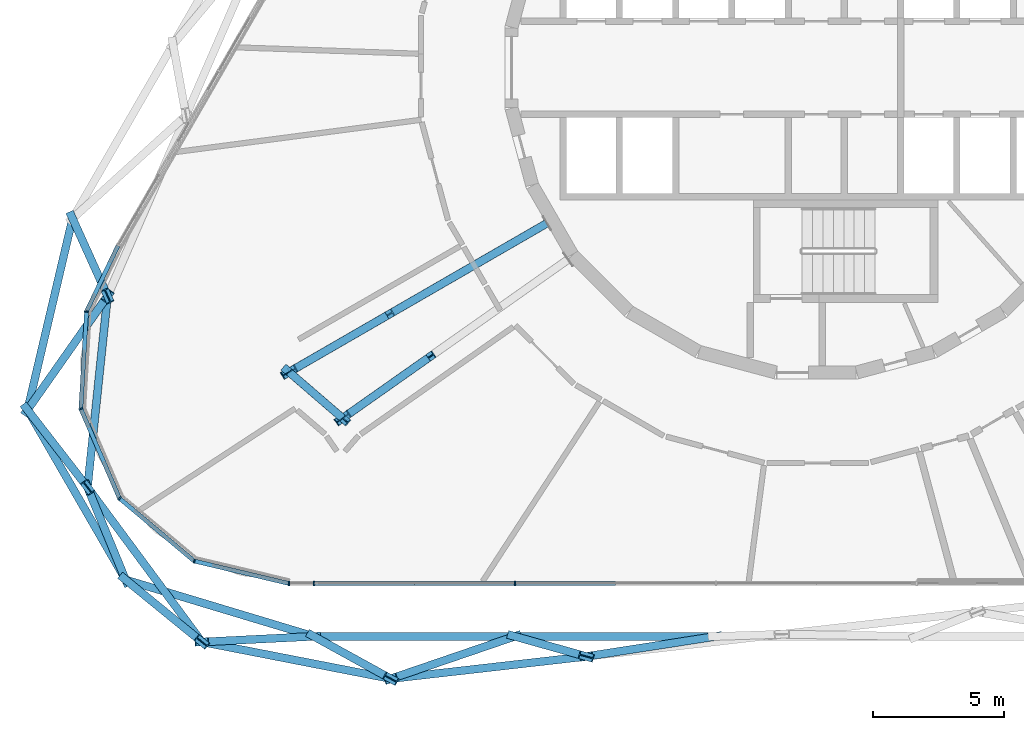
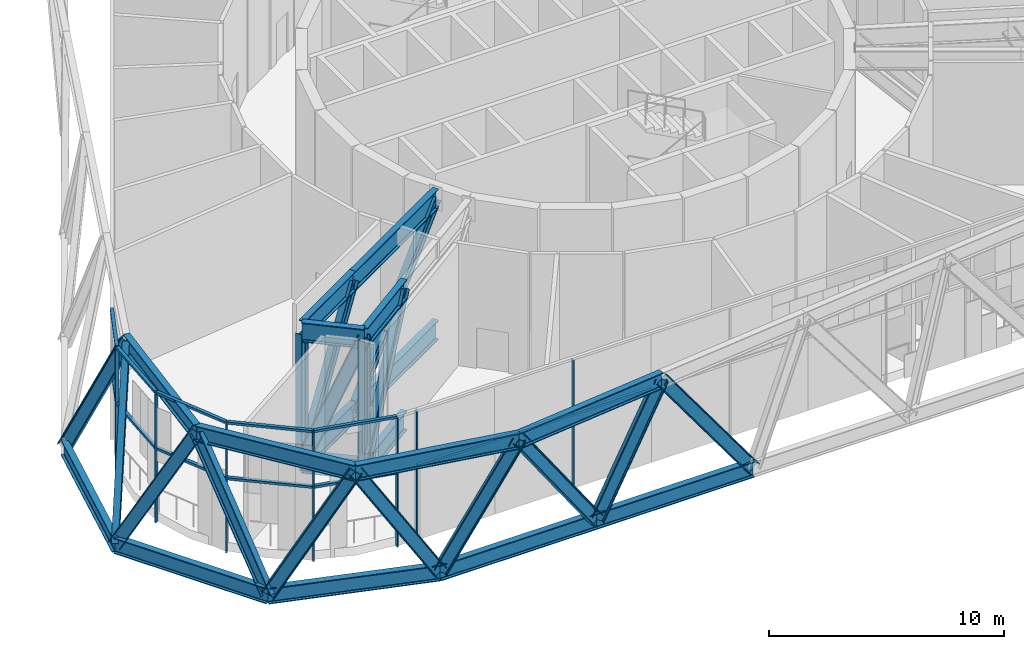
# One storey, part 1 of 29: 53 members, 2 elements without a shape of their own.
"""IFC4 building model written with IfcOpenShell, lengths in metres."""

from ifc_helpers import new_model, si_unit, direction, frame, origin, origin_2d, place, context, subcontext, project, spatial, rectangle, i_section, extrude, material, layer, layer_set, material_profile, profile_set, type_object, element, aggregate, save


model = new_model("IFC4")

# Units and contexts
model_context = context("Model", 3, precision=1e-05, world=origin(), true_north=direction((0.0, 1.0)))
body_context = subcontext(model_context, "Body", "Model", "MODEL_VIEW")
ifc_project = project(units=[si_unit("LENGTHUNIT", "METRE"), si_unit("AREAUNIT", "SQUARE_METRE"), si_unit("VOLUMEUNIT", "CUBIC_METRE"), si_unit("PLANEANGLEUNIT", "RADIAN"), si_unit("MASSUNIT", "GRAM", prefix="KILO")], contexts=[model_context])

# Site, building, storey
site_placement = place(None, origin())
site = spatial("IfcSite", under=ifc_project, at=site_placement, CompositionType="ELEMENT")
building_placement = place(site_placement, origin())
building = spatial("IfcBuilding", under=site, at=building_placement, Name="Spindle Arch Residences", CompositionType="ELEMENT")
storey_placement = place(building_placement, frame((0.0, 0.0, 69.89990234375)))
storey = spatial("IfcBuildingStorey", under=building, at=storey_placement, Name="L16", CompositionType="ELEMENT", Elevation=69.89990234375)

# Members
ifc_material_1 = material(Name="Steel S460ML, intumescent coating R 240", Category="steel")
ifc_material_profile_1 = material_profile(ifc_material_1, i_section(OverallWidth=0.302978515625, OverallDepth=0.81396484375, WebThickness=0.02099609375, FlangeThickness=0.0400390625, FilletRadius=0.030029296875, at=origin_2d()), Name="HEM 800")
ifc_profile_set_1 = profile_set([ifc_material_profile_1], Name="Steel S460ML, intumescent coating R 240")
member_type_1 = type_object("IfcMemberType", Name="Belt truss chord HEM 800", PredefinedType="CHORD", material=ifc_profile_set_1)
member_1_placement = place(storey_placement, frame((-28.418701171875, -5.762939453125, -0.85693359375), z_axis=(-0.229180660718, -0.973383904096, 0.0), x_axis=(0.973383904096, -0.229180660718, 0.0)))
element("IfcMember", 1, at=member_1_placement, inside=storey, type_object=member_type_1, Name="Belt truss bottom chord L16.19", PredefinedType="CHORD", context=body_context, shape_type="SweptSolid", body=[
    extrude(i_section(OverallWidth=0.302978515625, OverallDepth=0.81396484375, WebThickness=0.02099609375, FlangeThickness=0.0400390625, FilletRadius=0.030029296875, at=origin_2d()), origin(), (0.0, 0.0, 1.0), 7.51025390625),
])
member_2_placement = place(storey_placement, frame((-30.139892578125, -13.0732421875, -0.85693359375), z_axis=(0.500016584969, -0.866015828236, 0.0), x_axis=(0.866015828236, 0.500016584969, 0.0)))
element("IfcMember", 2, at=member_2_placement, inside=storey, type_object=member_type_1, Name="Belt truss bottom chord L16.20", PredefinedType="CHORD", context=body_context, shape_type="SweptSolid", body=[
    extrude(i_section(OverallWidth=0.302978515625, OverallDepth=0.81396484375, WebThickness=0.02099609375, FlangeThickness=0.0400390625, FilletRadius=0.030029296875, at=origin_2d()), origin(), (0.0, 0.0, 1.0), 7.496337890625),
])
member_3_placement = place(storey_placement, frame((-26.3916015625, -19.565185546875, -0.85693359375), z_axis=(0.957555657636, -0.288248438901, 0.0), x_axis=(0.288248438901, 0.957555657636, 0.0)))
element("IfcMember", 3, at=member_3_placement, inside=storey, type_object=member_type_1, Name="Belt truss bottom chord L16.21", PredefinedType="CHORD", context=body_context, shape_type="SweptSolid", body=[
    extrude(i_section(OverallWidth=0.302978515625, OverallDepth=0.81396484375, WebThickness=0.02099609375, FlangeThickness=0.0400390625, FilletRadius=0.030029296875, at=origin_2d()), origin(), (0.0, 0.0, 1.0), 7.51025390625),
])
member_4_placement = place(storey_placement, frame((-19.2001953125, -21.72998046875, -0.85693359375), z_axis=(1.0, 0.0, 0.0), x_axis=(0.0, 1.0, 0.0)))
element("IfcMember", 4, at=member_4_placement, inside=storey, type_object=member_type_1, Name="Belt truss bottom chord L16.22", PredefinedType="CHORD", context=body_context, shape_type="SweptSolid", body=[
    extrude(i_section(OverallWidth=0.302978515625, OverallDepth=0.81396484375, WebThickness=0.02099609375, FlangeThickness=0.0400390625, FilletRadius=0.030029296875, at=origin_2d()), origin(), (0.0, 0.0, 1.0), 7.68017578125),
])
member_5_placement = place(storey_placement, frame((-11.52001953125, -21.72998046875, -0.85693359375), z_axis=(1.0, 0.0, 0.0), x_axis=(0.0, 1.0, 0.0)))
element("IfcMember", 5, at=member_5_placement, inside=storey, type_object=member_type_1, Name="Belt truss bottom chord L16.23", PredefinedType="CHORD", context=body_context, shape_type="SweptSolid", body=[
    extrude(i_section(OverallWidth=0.302978515625, OverallDepth=0.81396484375, WebThickness=0.02099609375, FlangeThickness=0.0400390625, FilletRadius=0.030029296875, at=origin_2d()), origin(), (0.0, 0.0, 1.0), 7.679931640625),
])
member_6_placement = place(storey_placement, frame((-27.081298828125, -8.7216796875, 5.943115234375), z_axis=(-0.104074745973, -0.994569478343, 0.0), x_axis=(0.994569478343, -0.104074745973, 0.0)))
element("IfcMember", 6, at=member_6_placement, inside=storey, type_object=member_type_1, Name="Belt truss top chord L16.19", PredefinedType="CHORD", context=body_context, shape_type="SweptSolid", body=[
    extrude(i_section(OverallWidth=0.302978515625, OverallDepth=0.81396484375, WebThickness=0.02099609375, FlangeThickness=0.0400390625, FilletRadius=0.030029296875, at=origin_2d()), origin(), (0.0, 0.0, 1.0), 7.354248046875),
])
member_7_placement = place(storey_placement, frame((-27.8466796875, -16.035888671875, 5.943115234375), z_axis=(0.59480306331, -0.803871454822, 0.0), x_axis=(0.803871454822, 0.59480306331, 0.0)))
element("IfcMember", 7, at=member_7_placement, inside=storey, type_object=member_type_1, Name="Belt truss top chord L16.20", PredefinedType="CHORD", context=body_context, shape_type="SweptSolid", body=[
    extrude(i_section(OverallWidth=0.302978515625, OverallDepth=0.81396484375, WebThickness=0.02099609375, FlangeThickness=0.0400390625, FilletRadius=0.030029296875, at=origin_2d()), origin(), (0.0, 0.0, 1.0), 7.346435546875),
])
member_8_placement = place(storey_placement, frame((-23.47705078125, -21.94140625, 5.943115234375), z_axis=(0.981535309829, -0.191281038159, 0.0), x_axis=(0.191281038159, 0.981535309829, 0.0)))
element("IfcMember", 8, at=member_8_placement, inside=storey, type_object=member_type_1, Name="Belt truss top chord L16.21", PredefinedType="CHORD", context=body_context, shape_type="SweptSolid", body=[
    extrude(i_section(OverallWidth=0.302978515625, OverallDepth=0.81396484375, WebThickness=0.02099609375, FlangeThickness=0.0400390625, FilletRadius=0.030029296875, at=origin_2d()), origin(), (0.0, 0.0, 1.0), 7.354248046875),
])
member_9_placement = place(storey_placement, frame((-16.258544921875, -23.34814453125, 5.943115234375), z_axis=(0.993573008535, 0.113193094799, 0.0), x_axis=(-0.113193094799, 0.993573008535, 0.0)))
element("IfcMember", 9, at=member_9_placement, inside=storey, type_object=member_type_1, Name="Belt truss top chord L16.22", PredefinedType="CHORD", context=body_context, shape_type="SweptSolid", body=[
    extrude(i_section(OverallWidth=0.302978515625, OverallDepth=0.81396484375, WebThickness=0.02099609375, FlangeThickness=0.0400390625, FilletRadius=0.030029296875, at=origin_2d()), origin(), (0.0, 0.0, 1.0), 7.518798828125),
])
ifc_material_2 = material(Name="Steel S460ML, intumescent coating R 240", Category="steel")
ifc_material_profile_2 = material_profile(ifc_material_2, i_section(OverallWidth=0.304931640625, OverallDepth=0.6201171875, WebThickness=0.02099609375, FlangeThickness=0.0400390625, FilletRadius=0.027099609375, at=origin_2d()), Name="HEM 600")
ifc_profile_set_2 = profile_set([ifc_material_profile_2], Name="Steel S460ML, intumescent coating R 240")
member_type_2 = type_object("IfcMemberType", Name="Belt truss diagonal HEM 600", PredefinedType="BRACE", material=ifc_profile_set_2)
member_10_placement = place(storey_placement, frame((-28.418701171875, -5.762939453125, -0.85693359375), z_axis=(0.177480719736, -0.392641263689, 0.902404250971), x_axis=(0.911232255097, 0.411892919665, 0.0)))
element("IfcMember", 10, at=member_10_placement, inside=storey, type_object=member_type_2, Name="Belt truss diagonal L16.19.19", PredefinedType="BRACE", context=body_context, shape_type="SweptSolid", body=[
    extrude(i_section(OverallWidth=0.304931640625, OverallDepth=0.6201171875, WebThickness=0.02099609375, FlangeThickness=0.0400390625, FilletRadius=0.027099609375, at=origin_2d()), origin(), (0.0, 0.0, 1.0), 7.535400390625),
])
member_11_placement = place(storey_placement, frame((-30.139892578125, -13.0732421875, -0.85693359375), z_axis=(0.354283657911, 0.504051079071, 0.787664649089), x_axis=(-0.818126331391, 0.575038525565, 0.0)))
element("IfcMember", 11, at=member_11_placement, inside=storey, type_object=member_type_2, Name="Belt truss diagonal L16.19.20", PredefinedType="BRACE", context=body_context, shape_type="SweptSolid", body=[
    extrude(i_section(OverallWidth=0.304931640625, OverallDepth=0.6201171875, WebThickness=0.02099609375, FlangeThickness=0.0400390625, FilletRadius=0.027099609375, at=origin_2d()), origin(), (0.0, 0.0, 1.0), 8.633056640625),
])
member_12_placement = place(storey_placement, frame((-30.139892578125, -13.0732421875, -0.85693359375), z_axis=(0.295372059606, -0.381596927852, 0.875864790397), x_axis=(0.790781704208, 0.612098273393, 0.0)))
element("IfcMember", 12, at=member_12_placement, inside=storey, type_object=member_type_2, Name="Belt truss diagonal L16.20.20", PredefinedType="BRACE", context=body_context, shape_type="SweptSolid", body=[
    extrude(i_section(OverallWidth=0.304931640625, OverallDepth=0.6201171875, WebThickness=0.02099609375, FlangeThickness=0.0400390625, FilletRadius=0.027099609375, at=origin_2d()), origin(), (0.0, 0.0, 1.0), 7.763916015625),
])
member_13_placement = place(storey_placement, frame((-26.3916015625, -19.565185546875, -0.85693359375), z_axis=(-0.186588576877, 0.452571219352, 0.87198852882), x_axis=(-0.924508473883, -0.381161490339, 0.0)))
element("IfcMember", 13, at=member_13_placement, inside=storey, type_object=member_type_2, Name="Belt truss diagonal L16.20.21", PredefinedType="BRACE", context=body_context, shape_type="SweptSolid", body=[
    extrude(i_section(OverallWidth=0.304931640625, OverallDepth=0.6201171875, WebThickness=0.02099609375, FlangeThickness=0.0400390625, FilletRadius=0.027099609375, at=origin_2d()), origin(), (0.0, 0.0, 1.0), 7.79833984375),
])
member_14_placement = place(storey_placement, frame((-26.3916015625, -19.565185546875, -0.85693359375), z_axis=(0.375075741043, -0.305797636754, 0.875103418938), x_axis=(0.631896917655, 0.775052440457, 0.0)))
element("IfcMember", 14, at=member_14_placement, inside=storey, type_object=member_type_2, Name="Belt truss diagonal L16.21.21", PredefinedType="BRACE", context=body_context, shape_type="SweptSolid", body=[
    extrude(i_section(OverallWidth=0.304931640625, OverallDepth=0.6201171875, WebThickness=0.02099609375, FlangeThickness=0.0400390625, FilletRadius=0.027099609375, at=origin_2d()), origin(), (0.0, 0.0, 1.0), 7.7705078125),
])
member_15_placement = place(storey_placement, frame((-19.2001953125, -21.72998046875, -0.85693359375), z_axis=(-0.532213786116, -0.026309917729, 0.846201083725), x_axis=(0.049374572868, -0.998780331982, 0.0)))
element("IfcMember", 15, at=member_15_placement, inside=storey, type_object=member_type_2, Name="Belt truss diagonal L16.21.22", PredefinedType="BRACE", context=body_context, shape_type="SweptSolid", body=[
    extrude(i_section(OverallWidth=0.304931640625, OverallDepth=0.6201171875, WebThickness=0.02099609375, FlangeThickness=0.0400390625, FilletRadius=0.027099609375, at=origin_2d()), origin(), (0.0, 0.0, 1.0), 8.035888671875),
])
member_16_placement = place(storey_placement, frame((-19.2001953125, -21.72998046875, -0.85693359375), z_axis=(0.387891455113, -0.213374102788, 0.89666700135), x_axis=(0.48197737003, 0.876183664981, 0.0)))
element("IfcMember", 16, at=member_16_placement, inside=storey, type_object=member_type_2, Name="Belt truss diagonal L16.22.22", PredefinedType="BRACE", context=body_context, shape_type="SweptSolid", body=[
    extrude(i_section(OverallWidth=0.304931640625, OverallDepth=0.6201171875, WebThickness=0.02099609375, FlangeThickness=0.0400390625, FilletRadius=0.027099609375, at=origin_2d()), origin(), (0.0, 0.0, 1.0), 7.583740234375),
])
member_17_placement = place(storey_placement, frame((-11.52001953125, -21.72998046875, -0.85693359375), z_axis=(-0.56112503393, -0.191619183105, 0.805245791646), x_axis=(0.323167283994, -0.946341855016, 0.0)))
element("IfcMember", 17, at=member_17_placement, inside=storey, type_object=member_type_2, Name="Belt truss diagonal L16.22.23", PredefinedType="BRACE", context=body_context, shape_type="SweptSolid", body=[
    extrude(i_section(OverallWidth=0.304931640625, OverallDepth=0.6201171875, WebThickness=0.02099609375, FlangeThickness=0.0400390625, FilletRadius=0.027099609375, at=origin_2d()), origin(), (0.0, 0.0, 1.0), 8.444580078125),
])
member_18_placement = place(storey_placement, frame((-11.52001953125, -21.72998046875, -0.85693359375), z_axis=(0.370766092842, -0.104106082548, 0.922872920816), x_axis=(0.270331945787, 0.962767178027, 0.0)))
element("IfcMember", 18, at=member_18_placement, inside=storey, type_object=member_type_2, Name="Belt truss diagonal L16.23.23", PredefinedType="BRACE", context=body_context, shape_type="SweptSolid", body=[
    extrude(i_section(OverallWidth=0.304931640625, OverallDepth=0.6201171875, WebThickness=0.02099609375, FlangeThickness=0.0400390625, FilletRadius=0.027099609375, at=origin_2d()), origin(), (0.0, 0.0, 1.0), 7.368408203125),
])
member_19_placement = place(storey_placement, frame((-3.840087890625, -21.72998046875, -0.85693359375), z_axis=(-0.585934263112, -0.090837590896, 0.80525124737), x_axis=(0.153200237497, -0.988195166569, 0.0)))
element("IfcMember", 19, at=member_19_placement, inside=storey, type_object=member_type_2, Name="Belt truss diagonal L16.23.24", PredefinedType="BRACE", context=body_context, shape_type="SweptSolid", body=[
    extrude(i_section(OverallWidth=0.304931640625, OverallDepth=0.6201171875, WebThickness=0.02099609375, FlangeThickness=0.0400390625, FilletRadius=0.027099609375, at=origin_2d()), origin(), (0.0, 0.0, 1.0), 8.444580078125),
])

# Curtain wall, members
ifc_material_3 = material(Name="Aluminium bronze unitised frame with tinted glass", Category="aluminium")
ifc_layer = layer(ifc_material_3, 0.159912109375)
ifc_layer_set = layer_set([ifc_layer], Name="CW-E double-height winter garden wall")
curtain_wall_type = type_object("IfcCurtainWallType", Name="CW-E double-height winter garden wall", PredefinedType="NOTDEFINED", material=ifc_layer_set)
curtain_wall_1_placement = place(storey_placement, origin())
curtain_wall_1 = element("IfcCurtainWall", 20, at=curtain_wall_1_placement, inside=storey, type_object=curtain_wall_type, Name="CW-E L16 run 5", PredefinedType="NOTDEFINED")
ifc_material_4 = material(Name="Aluminium bronze anodised mullion", Category="aluminium")
ifc_material_profile_3 = material_profile(ifc_material_4, rectangle(XDim=0.159912109375, YDim=0.06005859375, at=origin_2d()), Name="MU 60x160")
ifc_profile_set_3 = profile_set([ifc_material_profile_3], Name="Aluminium bronze anodised mullion")
member_type_3 = type_object("IfcMemberType", Name="Bronze mullion 60x160", PredefinedType="MULLION", material=ifc_profile_set_3)
member_20_placement = place(storey_placement, frame((-27.884033203125, -9.3125, -0.449951171875), z_axis=(0.0, 0.0, 1.0), x_axis=(0.99830815821, -0.058144829968, 0.0)))
member_20 = element("IfcMember", 21, at=member_20_placement, type_object=member_type_3, Name="CW-E mullion 01", PredefinedType="MULLION", context=body_context, shape_type="SweptSolid", body=[
    extrude(rectangle(XDim=0.159912109375, YDim=0.06005859375, at=origin_2d()), origin(), (0.0, 0.0, 1.0), 6.679931640625),
])
member_21_placement = place(storey_placement, frame((-28.100830078125, -13.032958984375, -0.449951171875), z_axis=(0.0, 0.0, 1.0), x_axis=(0.918216106599, 0.396079766691, 0.0)))
member_21 = element("IfcMember", 22, at=member_21_placement, type_object=member_type_3, Name="CW-E mullion 02", PredefinedType="MULLION", context=body_context, shape_type="SweptSolid", body=[
    extrude(rectangle(XDim=0.159912109375, YDim=0.06005859375, at=origin_2d()), origin(), (0.0, 0.0, 1.0), 6.679931640625),
])
member_22_placement = place(storey_placement, frame((-26.624755859375, -16.454833984375, -0.449951171875), z_axis=(0.0, 0.0, 1.0), x_axis=(0.64278760716, 0.766044445239, 0.0)))
member_22 = element("IfcMember", 23, at=member_22_placement, type_object=member_type_3, Name="CW-E mullion 03", PredefinedType="MULLION", context=body_context, shape_type="SweptSolid", body=[
    extrude(rectangle(XDim=0.159912109375, YDim=0.06005859375, at=origin_2d()), origin(), (0.0, 0.0, 1.0), 6.679931640625),
])
member_23_placement = place(storey_placement, frame((-23.769775390625, -18.850341796875, -0.449951171875), z_axis=(0.0, 0.0, 1.0), x_axis=(0.230615868852, 0.973044871028, 0.0)))
member_23 = element("IfcMember", 24, at=member_23_placement, type_object=member_type_3, Name="CW-E mullion 04", PredefinedType="MULLION", context=body_context, shape_type="SweptSolid", body=[
    extrude(rectangle(XDim=0.159912109375, YDim=0.06005859375, at=origin_2d()), origin(), (0.0, 0.0, 1.0), 6.679931640625),
])
member_24_placement = place(storey_placement, frame((-20.1435546875, -19.7099609375, -0.449951171875), z_axis=(0.0, 0.0, 1.0), x_axis=(0.0, 1.0, 0.0)))
member_24 = element("IfcMember", 25, at=member_24_placement, type_object=member_type_3, Name="CW-E mullion 05", PredefinedType="MULLION", context=body_context, shape_type="SweptSolid", body=[
    extrude(rectangle(XDim=0.159912109375, YDim=0.06005859375, at=origin_2d()), origin(), (0.0, 0.0, 1.0), 6.679931640625),
])

curtain_wall_2_placement = place(storey_placement, origin())
curtain_wall_2 = element("IfcCurtainWall", 26, at=curtain_wall_2_placement, inside=storey, type_object=curtain_wall_type, Name="CW-E L16 run 6", PredefinedType="NOTDEFINED")
member_25_placement = place(storey_placement, frame((-19.2001953125, -19.7099609375, -0.449951171875), z_axis=(0.0, 0.0, 1.0), x_axis=(0.0, 1.0, 0.0)))
member_25 = element("IfcMember", 27, at=member_25_placement, type_object=member_type_3, Name="CW-E mullion 21", PredefinedType="MULLION", context=body_context, shape_type="SweptSolid", body=[
    extrude(rectangle(XDim=0.159912109375, YDim=0.06005859375, at=origin_2d()), origin(), (0.0, 0.0, 1.0), 6.679931640625),
])
member_26_placement = place(storey_placement, frame((-11.52001953125, -19.7099609375, -0.449951171875), z_axis=(0.0, 0.0, 1.0), x_axis=(0.0, 1.0, 0.0)))
member_26 = element("IfcMember", 28, at=member_26_placement, type_object=member_type_3, Name="CW-E mullion 22", PredefinedType="MULLION", context=body_context, shape_type="SweptSolid", body=[
    extrude(rectangle(XDim=0.159912109375, YDim=0.06005859375, at=origin_2d()), origin(), (0.0, 0.0, 1.0), 6.679931640625),
])

# Member
ifc_material_5 = material(Name="Aluminium bronze anodised transom", Category="aluminium")
ifc_material_profile_4 = material_profile(ifc_material_5, rectangle(XDim=0.159912109375, YDim=0.1201171875, at=origin_2d()), Name="TR 120x160")
ifc_profile_set_4 = profile_set([ifc_material_profile_4], Name="Aluminium bronze anodised transom")
member_type_4 = type_object("IfcMemberType", Name="Bronze transom 120x160", PredefinedType="USERDEFINED", material=ifc_profile_set_4)
member_27_placement = place(storey_placement, frame((-26.682373046875, -6.800048828125, 6.2900390625), z_axis=(-0.43147744699, -0.902123723631, 0.0), x_axis=(0.902123723631, -0.43147744699, 0.0)))
member_27 = element("IfcMember", 29, at=member_27_placement, type_object=member_type_4, Name="CW-E transom 00", ObjectType="TRANSOM", PredefinedType="USERDEFINED", context=body_context, shape_type="SweptSolid", body=[
    extrude(rectangle(XDim=0.159912109375, YDim=0.1201171875, at=origin_2d()), origin(), (0.0, 0.0, 1.0), 2.7548828125),
])

member_28_placement = place(storey_placement, frame((-26.682373046875, -6.800048828125, 3.400146484375), z_axis=(-0.43147744699, -0.902123723631, 0.0), x_axis=(0.902123723631, -0.43147744699, 0.0)))
member_28 = element("IfcMember", 30, at=member_28_placement, type_object=member_type_4, Name="CW-E transom 00m", ObjectType="TRANSOM", PredefinedType="USERDEFINED", context=body_context, shape_type="SweptSolid", body=[
    extrude(rectangle(XDim=0.159912109375, YDim=0.1201171875, at=origin_2d()), origin(), (0.0, 0.0, 1.0), 2.7548828125),
])

member_29_placement = place(storey_placement, frame((-27.885986328125, -9.342529296875, 6.2900390625), z_axis=(-0.058128716156, -0.998309096602, 0.0), x_axis=(0.998309096602, -0.058128716156, 0.0)))
member_29 = element("IfcMember", 31, at=member_29_placement, type_object=member_type_4, Name="CW-E transom 01", ObjectType="TRANSOM", PredefinedType="USERDEFINED", context=body_context, shape_type="SweptSolid", body=[
    extrude(rectangle(XDim=0.159912109375, YDim=0.1201171875, at=origin_2d()), origin(), (0.0, 0.0, 1.0), 3.66650390625),
])

member_30_placement = place(storey_placement, frame((-27.885986328125, -9.342529296875, 3.400146484375), z_axis=(-0.058128716156, -0.998309096602, 0.0), x_axis=(0.998309096602, -0.058128716156, 0.0)))
member_30 = element("IfcMember", 32, at=member_30_placement, type_object=member_type_4, Name="CW-E transom 01m", ObjectType="TRANSOM", PredefinedType="USERDEFINED", context=body_context, shape_type="SweptSolid", body=[
    extrude(rectangle(XDim=0.159912109375, YDim=0.1201171875, at=origin_2d()), origin(), (0.0, 0.0, 1.0), 3.66650390625),
])

member_31_placement = place(storey_placement, frame((-28.0888671875, -13.060546875, 6.2900390625), z_axis=(0.39603167212, -0.918236851078, 0.0), x_axis=(0.918236851078, 0.39603167212, 0.0)))
member_31 = element("IfcMember", 33, at=member_31_placement, type_object=member_type_4, Name="CW-E transom 02", ObjectType="TRANSOM", PredefinedType="USERDEFINED", context=body_context, shape_type="SweptSolid", body=[
    extrude(rectangle(XDim=0.159912109375, YDim=0.1201171875, at=origin_2d()), origin(), (0.0, 0.0, 1.0), 3.666748046875),
])

member_32_placement = place(storey_placement, frame((-28.0888671875, -13.060546875, 3.400146484375), z_axis=(0.39603167212, -0.918236851078, 0.0), x_axis=(0.918236851078, 0.39603167212, 0.0)))
member_32 = element("IfcMember", 34, at=member_32_placement, type_object=member_type_4, Name="CW-E transom 02m", ObjectType="TRANSOM", PredefinedType="USERDEFINED", context=body_context, shape_type="SweptSolid", body=[
    extrude(rectangle(XDim=0.159912109375, YDim=0.1201171875, at=origin_2d()), origin(), (0.0, 0.0, 1.0), 3.666748046875),
])

member_33_placement = place(storey_placement, frame((-26.601806640625, -16.47412109375, 6.2900390625), z_axis=(0.766006453075, -0.642832881741, 0.0), x_axis=(0.642832881741, 0.766006453075, 0.0)))
member_33 = element("IfcMember", 35, at=member_33_placement, type_object=member_type_4, Name="CW-E transom 03", ObjectType="TRANSOM", PredefinedType="USERDEFINED", context=body_context, shape_type="SweptSolid", body=[
    extrude(rectangle(XDim=0.159912109375, YDim=0.1201171875, at=origin_2d()), origin(), (0.0, 0.0, 1.0), 3.666748046875),
])

member_34_placement = place(storey_placement, frame((-26.601806640625, -16.47412109375, 3.400146484375), z_axis=(0.766006453075, -0.642832881741, 0.0), x_axis=(0.642832881741, 0.766006453075, 0.0)))
member_34 = element("IfcMember", 36, at=member_34_placement, type_object=member_type_4, Name="CW-E transom 03m", ObjectType="TRANSOM", PredefinedType="USERDEFINED", context=body_context, shape_type="SweptSolid", body=[
    extrude(rectangle(XDim=0.159912109375, YDim=0.1201171875, at=origin_2d()), origin(), (0.0, 0.0, 1.0), 3.666748046875),
])

member_35_placement = place(storey_placement, frame((-23.74072265625, -18.857421875, 6.2900390625), z_axis=(0.973053560164, -0.230579203425, 0.0), x_axis=(0.230579203425, 0.973053560164, 0.0)))
member_35 = element("IfcMember", 37, at=member_35_placement, type_object=member_type_4, Name="CW-E transom 04", ObjectType="TRANSOM", PredefinedType="USERDEFINED", context=body_context, shape_type="SweptSolid", body=[
    extrude(rectangle(XDim=0.159912109375, YDim=0.1201171875, at=origin_2d()), origin(), (0.0, 0.0, 1.0), 3.666748046875),
])

member_36_placement = place(storey_placement, frame((-23.74072265625, -18.857421875, 3.400146484375), z_axis=(0.973053560164, -0.230579203425, 0.0), x_axis=(0.230579203425, 0.973053560164, 0.0)))
member_36 = element("IfcMember", 38, at=member_36_placement, type_object=member_type_4, Name="CW-E transom 04m", ObjectType="TRANSOM", PredefinedType="USERDEFINED", context=body_context, shape_type="SweptSolid", body=[
    extrude(rectangle(XDim=0.159912109375, YDim=0.1201171875, at=origin_2d()), origin(), (0.0, 0.0, 1.0), 3.666748046875),
])

aggregate(curtain_wall_1, [member_27, member_28, member_20, member_29, member_30, member_21, member_31, member_32, member_22, member_33, member_34, member_23, member_35, member_36, member_24])

member_37_placement = place(storey_placement, frame((-19.170166015625, -19.7099609375, 3.400146484375), z_axis=(1.0, 0.0, 0.0), x_axis=(0.0, 1.0, 0.0)))
member_37 = element("IfcMember", 39, at=member_37_placement, type_object=member_type_4, Name="CW-E transom 21Am", ObjectType="TRANSOM", PredefinedType="USERDEFINED", context=body_context, shape_type="SweptSolid", body=[
    extrude(rectangle(XDim=0.159912109375, YDim=0.1201171875, at=origin_2d()), origin(), (0.0, 0.0, 1.0), 3.81005859375),
])

member_38_placement = place(storey_placement, frame((-15.360107421875, -19.7099609375, 3.400146484375), z_axis=(1.0, 0.0, 0.0), x_axis=(0.0, 1.0, 0.0)))
member_38 = element("IfcMember", 40, at=member_38_placement, type_object=member_type_4, Name="CW-E transom 21Bm", ObjectType="TRANSOM", PredefinedType="USERDEFINED", context=body_context, shape_type="SweptSolid", body=[
    extrude(rectangle(XDim=0.159912109375, YDim=0.1201171875, at=origin_2d()), origin(), (0.0, 0.0, 1.0), 3.81005859375),
])

member_39_placement = place(storey_placement, frame((-11.489990234375, -19.7099609375, 3.400146484375), z_axis=(1.0, 0.0, 0.0), x_axis=(0.0, 1.0, 0.0)))
member_39 = element("IfcMember", 41, at=member_39_placement, type_object=member_type_4, Name="CW-E transom 22Am", ObjectType="TRANSOM", PredefinedType="USERDEFINED", context=body_context, shape_type="SweptSolid", body=[
    extrude(rectangle(XDim=0.159912109375, YDim=0.1201171875, at=origin_2d()), origin(), (0.0, 0.0, 1.0), 3.809814453125),
])

aggregate(curtain_wall_2, [member_25, member_37, member_38, member_26, member_39])

# Members
ifc_material_6 = material(Name="Steel S460ML, intumescent coating R 240", Category="steel")
ifc_material_profile_5 = material_profile(ifc_material_6, i_section(OverallWidth=0.302001953125, OverallDepth=1.008056640625, WebThickness=0.02099609375, FlangeThickness=0.0400390625, FilletRadius=0.030029296875, at=origin_2d()), Name="HEM 1000")
ifc_profile_set_5 = profile_set([ifc_material_profile_5], Name="Steel S460ML, intumescent coating R 240")
member_type_5 = type_object("IfcMemberType", Name="Transfer truss chord HEM 1000", PredefinedType="CHORD", material=ifc_profile_set_5)
for number, where, z_axis, x_axis, name in (
    (42, (-10.303466796875, -5.94873046875, -0.953857421875), (-0.866031494595, -0.499989450259, 0.0), (0.499989450259, -0.866031494595, 0.0), "Transfer truss chord L16"),
    (43, (-10.303466796875, -5.94873046875, 5.84619140625), (-0.866031494595, -0.499989450259, 0.0), (0.499989450259, -0.866031494595, 0.0), "Transfer truss chord L16"),
):
    element("IfcMember", number, at=place(storey_placement, frame(where, z_axis=z_axis, x_axis=x_axis)), inside=storey, type_object=member_type_5, Name=name, PredefinedType="CHORD", context=body_context, shape_type="SweptSolid", body=[
        extrude(i_section(OverallWidth=0.302001953125, OverallDepth=1.008056640625, WebThickness=0.02099609375, FlangeThickness=0.0400390625, FilletRadius=0.030029296875, at=origin_2d()), origin(), (0.0, 0.0, 1.0), 7.044677734375),
    ])
for number, where, z_axis, x_axis, name in (
    (44, (-16.404296875, -9.470947265625, -0.953857421875), (-0.866017978256, -0.500012861172, 0.0), (0.500012861172, -0.866017978256, 0.0), "Transfer truss chord L16"),
    (45, (-16.404296875, -9.470947265625, 5.84619140625), (-0.866017978256, -0.500012861172, 0.0), (0.500012861172, -0.866017978256, 0.0), "Transfer truss chord L16"),
):
    element("IfcMember", number, at=place(storey_placement, frame(where, z_axis=z_axis, x_axis=x_axis)), inside=storey, type_object=member_type_5, Name=name, PredefinedType="CHORD", context=body_context, shape_type="SweptSolid", body=[
        extrude(i_section(OverallWidth=0.302001953125, OverallDepth=1.008056640625, WebThickness=0.02099609375, FlangeThickness=0.0400390625, FilletRadius=0.030029296875, at=origin_2d()), origin(), (0.0, 0.0, 1.0), 4.31787109375),
    ])
for number, where, z_axis, x_axis, name in (
    (46, (-20.1435546875, -11.6298828125, -0.953857421875), (0.757402250421, -0.65294856693, 0.0), (0.65294856693, 0.757402250421, 0.0), "Transfer truss chord L16"),
    (47, (-20.1435546875, -11.6298828125, 5.84619140625), (0.757402250421, -0.65294856693, 0.0), (0.65294856693, 0.757402250421, 0.0), "Transfer truss chord L16"),
):
    element("IfcMember", number, at=place(storey_placement, frame(where, z_axis=z_axis, x_axis=x_axis)), inside=storey, type_object=member_type_5, Name=name, PredefinedType="CHORD", context=body_context, shape_type="SweptSolid", body=[
        extrude(i_section(OverallWidth=0.302001953125, OverallDepth=1.008056640625, WebThickness=0.02099609375, FlangeThickness=0.0400390625, FilletRadius=0.030029296875, at=origin_2d()), origin(), (0.0, 0.0, 1.0), 2.69970703125),
    ])
for number, where, z_axis, x_axis, name in (
    (48, (-14.82861328125, -11.08984375, -0.953857421875), (-0.817637206639, -0.575733791192, 0.0), (0.575733791192, -0.817637206639, 0.0), "Transfer truss chord L16"),
    (49, (-14.82861328125, -11.08984375, 5.84619140625), (-0.817637206639, -0.575733791192, 0.0), (0.575733791192, -0.817637206639, 0.0), "Transfer truss chord L16"),
):
    element("IfcMember", number, at=place(storey_placement, frame(where, z_axis=z_axis, x_axis=x_axis)), inside=storey, type_object=member_type_5, Name=name, PredefinedType="CHORD", context=body_context, shape_type="SweptSolid", body=[
        extrude(i_section(OverallWidth=0.302001953125, OverallDepth=1.008056640625, WebThickness=0.02099609375, FlangeThickness=0.0400390625, FilletRadius=0.030029296875, at=origin_2d()), origin(), (0.0, 0.0, 1.0), 3.999755859375),
    ])
ifc_material_7 = material(Name="Steel S460ML, intumescent coating R 240", Category="steel")
ifc_material_profile_6 = material_profile(ifc_material_7, i_section(OverallWidth=0.304931640625, OverallDepth=0.6201171875, WebThickness=0.02099609375, FlangeThickness=0.0400390625, FilletRadius=0.027099609375, at=origin_2d()), Name="HEM 600")
ifc_profile_set_6 = profile_set([ifc_material_profile_6], Name="Steel S460ML, intumescent coating R 240")
member_type_6 = type_object("IfcMemberType", Name="Transfer truss diagonal HEM 600", PredefinedType="BRACE", material=ifc_profile_set_6)
member_40_placement = place(storey_placement, frame((-16.404296875, -9.470947265625, -0.953857421875), z_axis=(0.62309577587, 0.359734393472, 0.694509049794), x_axis=(-0.499989450259, 0.866031494595, 0.0)))
element("IfcMember", 50, at=member_40_placement, inside=storey, type_object=member_type_6, Name="Transfer truss diagonal L16", PredefinedType="BRACE", context=body_context, shape_type="SweptSolid", body=[
    extrude(i_section(OverallWidth=0.304931640625, OverallDepth=0.6201171875, WebThickness=0.02099609375, FlangeThickness=0.0400390625, FilletRadius=0.027099609375, at=origin_2d()), origin(), (0.0, 0.0, 1.0), 9.791259765625),
])
member_41_placement = place(storey_placement, frame((-20.1435546875, -11.6298828125, -0.953857421875), z_axis=(0.464213272312, 0.268022849768, 0.84419771962), x_axis=(-0.500012861172, 0.866017978256, 0.0)))
element("IfcMember", 51, at=member_41_placement, inside=storey, type_object=member_type_6, Name="Transfer truss diagonal L16", PredefinedType="BRACE", context=body_context, shape_type="SweptSolid", body=[
    extrude(i_section(OverallWidth=0.304931640625, OverallDepth=0.6201171875, WebThickness=0.02099609375, FlangeThickness=0.0400390625, FilletRadius=0.027099609375, at=origin_2d()), origin(), (0.0, 0.0, 1.0), 8.054931640625),
])
member_42_placement = place(storey_placement, frame((-20.1435546875, -11.6298828125, -0.953857421875), z_axis=(0.279468246137, -0.240926655178, 0.929436305631), x_axis=(0.65294856693, 0.757402250421, 0.0)))
element("IfcMember", 52, at=member_42_placement, inside=storey, type_object=member_type_6, Name="Transfer truss diagonal L16", PredefinedType="BRACE", context=body_context, shape_type="SweptSolid", body=[
    extrude(i_section(OverallWidth=0.304931640625, OverallDepth=0.6201171875, WebThickness=0.02099609375, FlangeThickness=0.0400390625, FilletRadius=0.027099609375, at=origin_2d()), origin(), (0.0, 0.0, 1.0), 7.31640625),
])
member_43_placement = place(storey_placement, frame((-18.098876953125, -13.392578125, -0.953857421875), z_axis=(0.414529454531, 0.291888153426, 0.861955124827), x_axis=(-0.575733791192, 0.817637206639, 0.0)))
element("IfcMember", 53, at=member_43_placement, inside=storey, type_object=member_type_6, Name="Transfer truss diagonal L16", PredefinedType="BRACE", context=body_context, shape_type="SweptSolid", body=[
    extrude(i_section(OverallWidth=0.304931640625, OverallDepth=0.6201171875, WebThickness=0.02099609375, FlangeThickness=0.0400390625, FilletRadius=0.027099609375, at=origin_2d()), origin(), (0.0, 0.0, 1.0), 7.88916015625),
])
ifc_material_8 = material(Name="Steel S460ML, intumescent coating R 240", Category="steel")
ifc_material_profile_7 = material_profile(ifc_material_8, i_section(OverallWidth=0.300048828125, OverallDepth=0.60009765625, WebThickness=0.015380859375, FlangeThickness=0.030029296875, FilletRadius=0.027099609375, at=origin_2d()), Name="HEB 600")
ifc_profile_set_7 = profile_set([ifc_material_profile_7], Name="Steel S460ML, intumescent coating R 240")
member_type_7 = type_object("IfcMemberType", Name="Transfer truss post HEB 600", PredefinedType="POST", material=ifc_profile_set_7)
member_44_placement = place(storey_placement, frame((-20.1435546875, -11.6298828125, -0.449951171875), z_axis=(0.0, 0.0, 1.0), x_axis=(-0.49999958461, 0.86602564361, 0.0)))
element("IfcMember", 54, at=member_44_placement, inside=storey, type_object=member_type_7, Name="Transfer truss post L16", PredefinedType="POST", context=body_context, shape_type="SweptSolid", body=[
    extrude(i_section(OverallWidth=0.300048828125, OverallDepth=0.60009765625, WebThickness=0.015380859375, FlangeThickness=0.030029296875, FilletRadius=0.027099609375, at=origin_2d()), origin(), (0.0, 0.0, 1.0), 6.296142578125),
])
member_45_placement = place(storey_placement, frame((-18.098876953125, -13.392578125, -0.953857421875), z_axis=(0.0, 0.0, 1.0), x_axis=(-0.575701517802, 0.817659930779, 0.0)))
element("IfcMember", 55, at=member_45_placement, inside=storey, type_object=member_type_7, Name="Transfer truss post L16", PredefinedType="POST", context=body_context, shape_type="SweptSolid", body=[
    extrude(i_section(OverallWidth=0.300048828125, OverallDepth=0.60009765625, WebThickness=0.015380859375, FlangeThickness=0.030029296875, FilletRadius=0.027099609375, at=origin_2d()), origin(), (0.0, 0.0, 1.0), 6.800048828125),
])

save(model, "model.ifc")
